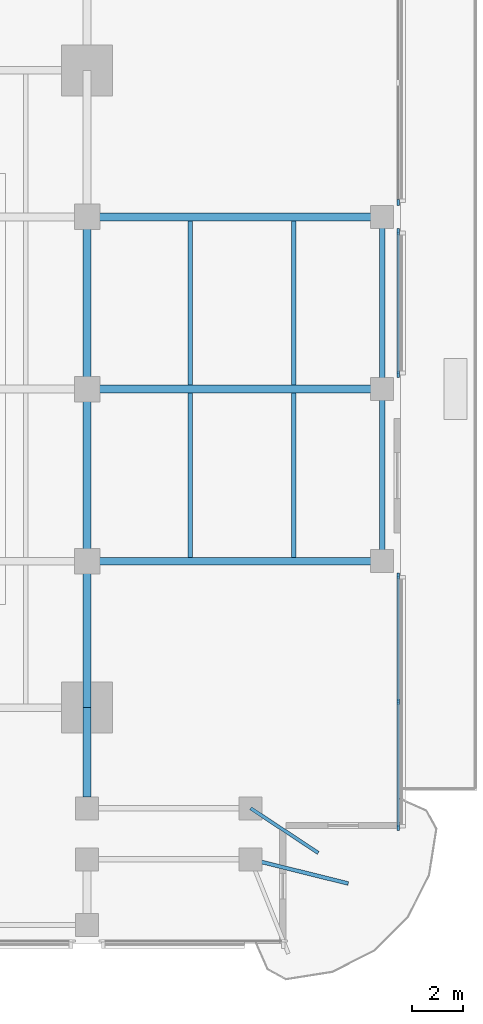
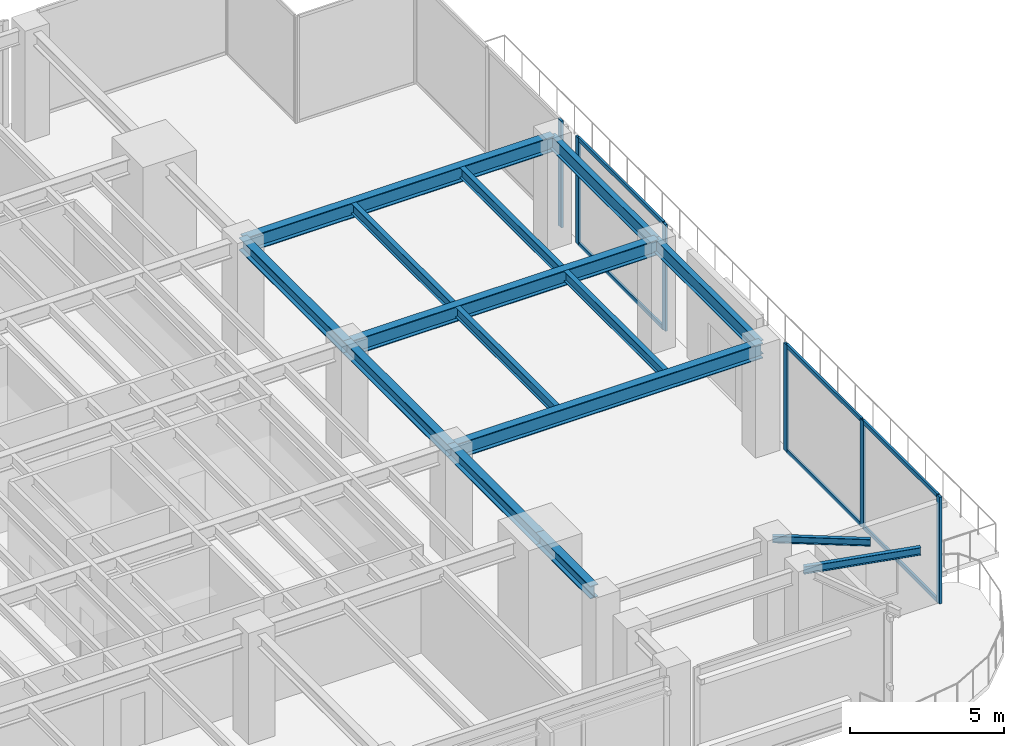
# One storey, part 4 of 14: 15 beams, 12 members, 3 elements without a shape of their own.
"""IFC4 building model written with IfcOpenShell, lengths in metres."""

from ifc_helpers import new_model, si_unit, direction, frame, origin, origin_2d, place, context, subcontext, project, spatial, rectangle, i_section, extrude, material, layer, layer_set, material_profile, profile_set, type_object, element, aggregate, save


model = new_model("IFC4")

# Units and contexts
model_context = context("Model", 3, precision=1e-05, world=origin(), true_north=direction((0.0, 1.0)))
body_context = subcontext(model_context, "Body", "Model", "MODEL_VIEW")
ifc_project = project(units=[si_unit("LENGTHUNIT", "METRE"), si_unit("AREAUNIT", "SQUARE_METRE"), si_unit("VOLUMEUNIT", "CUBIC_METRE"), si_unit("PLANEANGLEUNIT", "RADIAN"), si_unit("MASSUNIT", "GRAM", prefix="KILO")], contexts=[model_context])

# Site, building, storey
site_placement = place(None, origin())
site = spatial("IfcSite", under=ifc_project, at=site_placement, CompositionType="ELEMENT")
building_placement = place(site_placement, origin())
building = spatial("IfcBuilding", under=site, at=building_placement, Name="Kinhvarn Gate Tower", CompositionType="ELEMENT")
storey_placement = place(building_placement, frame((0.0, 0.0, 97.85009765625)))
storey = spatial("IfcBuildingStorey", under=building, at=storey_placement, Name="L25", CompositionType="ELEMENT", Elevation=97.85009765625)

# Curtain wall, members
ifc_material_1 = material(Name="Anodised aluminium AW-6063", Category="aluminium")
ifc_layer = layer(ifc_material_1, 0.219970703125)
ifc_layer_set = layer_set([ifc_layer], Name="Anodised aluminium AW-6063")
curtain_wall_type = type_object("IfcCurtainWallType", Name="CW-SYS-5", PredefinedType="NOTDEFINED", material=ifc_layer_set)
curtain_wall_1_placement = place(storey_placement, origin())
curtain_wall_1 = element("IfcCurtainWall", 1, at=curtain_wall_1_placement, inside=storey, type_object=curtain_wall_type, Name="Curtain Wall CW5 (L25)", PredefinedType="NOTDEFINED")
ifc_material_profile_1 = material_profile(ifc_material_1, rectangle(XDim=0.080078125, YDim=0.219970703125, at=origin_2d()), Name="ALU 80x220")
ifc_profile_set_1 = profile_set([ifc_material_profile_1], Name="Anodised aluminium AW-6063")
member_type_1 = type_object("IfcMemberType", Name="CW-MUL-220", PredefinedType="MULLION", material=ifc_profile_set_1)
member_1_placement = place(storey_placement, frame((50.409912109375, 8.0400390625, 0.0), z_axis=(0.0, 0.0, 1.0), x_axis=(-1.0, 0.0, 0.0)))
member_1 = element("IfcMember", 2, at=member_1_placement, type_object=member_type_1, Name="CW5 mullion 1", PredefinedType="MULLION", context=body_context, shape_type="SweptSolid", body=[
    extrude(rectangle(XDim=0.080078125, YDim=0.219970703125, at=origin_2d()), origin(), (0.0, 0.0, 1.0), 4.219970703125),
])
member_2_placement = place(storey_placement, frame((50.409912109375, 12.985107421875, 0.0), z_axis=(0.0, 0.0, 1.0), x_axis=(-1.0, 0.0, 0.0)))
member_2 = element("IfcMember", 3, at=member_2_placement, type_object=member_type_1, Name="CW5 mullion 2", PredefinedType="MULLION", context=body_context, shape_type="SweptSolid", body=[
    extrude(rectangle(XDim=0.080078125, YDim=0.219970703125, at=origin_2d()), origin(), (0.0, 0.0, 1.0), 4.219970703125),
])
member_3_placement = place(storey_placement, frame((50.409912109375, 17.929931640625, 0.0), z_axis=(0.0, 0.0, 1.0), x_axis=(-1.0, 0.0, 0.0)))
member_3 = element("IfcMember", 4, at=member_3_placement, type_object=member_type_1, Name="CW5 mullion 3", PredefinedType="MULLION", context=body_context, shape_type="SweptSolid", body=[
    extrude(rectangle(XDim=0.080078125, YDim=0.219970703125, at=origin_2d()), origin(), (0.0, 0.0, 1.0), 4.219970703125),
])

curtain_wall_2_placement = place(storey_placement, origin())
curtain_wall_2 = element("IfcCurtainWall", 5, at=curtain_wall_2_placement, inside=storey, type_object=curtain_wall_type, Name="Curtain Wall CW5 (L25)", PredefinedType="NOTDEFINED")
member_4_placement = place(storey_placement, frame((50.409912109375, 25.820068359375, 0.0), z_axis=(0.0, 0.0, 1.0), x_axis=(-1.0, 0.0, 0.0)))
member_4 = element("IfcMember", 6, at=member_4_placement, type_object=member_type_1, Name="CW5 mullion 1", PredefinedType="MULLION", context=body_context, shape_type="SweptSolid", body=[
    extrude(rectangle(XDim=0.080078125, YDim=0.219970703125, at=origin_2d()), origin(), (0.0, 0.0, 1.0), 4.219970703125),
])
member_5_placement = place(storey_placement, frame((50.409912109375, 31.429931640625, 0.0), z_axis=(0.0, 0.0, 1.0), x_axis=(-1.0, 0.0, 0.0)))
member_5 = element("IfcMember", 7, at=member_5_placement, type_object=member_type_1, Name="CW5 mullion 2", PredefinedType="MULLION", context=body_context, shape_type="SweptSolid", body=[
    extrude(rectangle(XDim=0.080078125, YDim=0.219970703125, at=origin_2d()), origin(), (0.0, 0.0, 1.0), 4.219970703125),
])

# Curtain wall, member
curtain_wall_3_placement = place(storey_placement, origin())
curtain_wall_3 = element("IfcCurtainWall", 8, at=curtain_wall_3_placement, inside=storey, type_object=curtain_wall_type, Name="Curtain Wall CW5 (L25)", PredefinedType="NOTDEFINED")
member_6_placement = place(storey_placement, frame((50.409912109375, 32.570068359375, 0.0), z_axis=(0.0, 0.0, 1.0), x_axis=(-1.0, 0.0, 0.0)))
member_6 = element("IfcMember", 9, at=member_6_placement, type_object=member_type_1, Name="CW5 mullion 1", PredefinedType="MULLION", context=body_context, shape_type="SweptSolid", body=[
    extrude(rectangle(XDim=0.080078125, YDim=0.219970703125, at=origin_2d()), origin(), (0.0, 0.0, 1.0), 4.219970703125),
])
aggregate(curtain_wall_3, [member_6])

# Member
ifc_material_profile_2 = material_profile(ifc_material_1, rectangle(XDim=0.080078125, YDim=0.159912109375, at=origin_2d()), Name="ALU 80x160")
ifc_profile_set_2 = profile_set([ifc_material_profile_2], Name="Anodised aluminium AW-6063")
member_type_2 = type_object("IfcMemberType", Name="CW-TRN-160", PredefinedType="USERDEFINED", material=ifc_profile_set_2)
member_7_placement = place(storey_placement, frame((50.409912109375, 8.080078125, 0.039794921875), z_axis=(0.0, 1.0, 0.0), x_axis=(-1.0, 0.0, 0.0)))
member_7 = element("IfcMember", 10, at=member_7_placement, type_object=member_type_2, Name="CW5 transom 1.1", ObjectType="TRANSOM", PredefinedType="USERDEFINED", context=body_context, shape_type="SweptSolid", body=[
    extrude(rectangle(XDim=0.080078125, YDim=0.159912109375, at=origin_2d()), origin(), (0.0, 0.0, 1.0), 4.864990234375),
])

member_8_placement = place(storey_placement, frame((50.409912109375, 8.080078125, 4.179931640625), z_axis=(0.0, 1.0, 0.0), x_axis=(-1.0, 0.0, 0.0)))
member_8 = element("IfcMember", 11, at=member_8_placement, type_object=member_type_2, Name="CW5 transom 1.2", ObjectType="TRANSOM", PredefinedType="USERDEFINED", context=body_context, shape_type="SweptSolid", body=[
    extrude(rectangle(XDim=0.080078125, YDim=0.159912109375, at=origin_2d()), origin(), (0.0, 0.0, 1.0), 4.864990234375),
])

member_9_placement = place(storey_placement, frame((50.409912109375, 13.02490234375, 0.039794921875), z_axis=(0.0, 1.0, 0.0), x_axis=(-1.0, 0.0, 0.0)))
member_9 = element("IfcMember", 12, at=member_9_placement, type_object=member_type_2, Name="CW5 transom 2.1", ObjectType="TRANSOM", PredefinedType="USERDEFINED", context=body_context, shape_type="SweptSolid", body=[
    extrude(rectangle(XDim=0.080078125, YDim=0.159912109375, at=origin_2d()), origin(), (0.0, 0.0, 1.0), 4.864990234375),
])

member_10_placement = place(storey_placement, frame((50.409912109375, 13.02490234375, 4.179931640625), z_axis=(0.0, 1.0, 0.0), x_axis=(-1.0, 0.0, 0.0)))
member_10 = element("IfcMember", 13, at=member_10_placement, type_object=member_type_2, Name="CW5 transom 2.2", ObjectType="TRANSOM", PredefinedType="USERDEFINED", context=body_context, shape_type="SweptSolid", body=[
    extrude(rectangle(XDim=0.080078125, YDim=0.159912109375, at=origin_2d()), origin(), (0.0, 0.0, 1.0), 4.864990234375),
])

aggregate(curtain_wall_1, [member_1, member_2, member_3, member_7, member_8, member_9, member_10])

member_11_placement = place(storey_placement, frame((50.409912109375, 25.860107421875, 0.039794921875), z_axis=(0.0, 1.0, 0.0), x_axis=(-1.0, 0.0, 0.0)))
member_11 = element("IfcMember", 14, at=member_11_placement, type_object=member_type_2, Name="CW5 transom 1.1", ObjectType="TRANSOM", PredefinedType="USERDEFINED", context=body_context, shape_type="SweptSolid", body=[
    extrude(rectangle(XDim=0.080078125, YDim=0.159912109375, at=origin_2d()), origin(), (0.0, 0.0, 1.0), 5.52978515625),
])

member_12_placement = place(storey_placement, frame((50.409912109375, 25.860107421875, 4.179931640625), z_axis=(0.0, 1.0, 0.0), x_axis=(-1.0, 0.0, 0.0)))
member_12 = element("IfcMember", 15, at=member_12_placement, type_object=member_type_2, Name="CW5 transom 1.2", ObjectType="TRANSOM", PredefinedType="USERDEFINED", context=body_context, shape_type="SweptSolid", body=[
    extrude(rectangle(XDim=0.080078125, YDim=0.159912109375, at=origin_2d()), origin(), (0.0, 0.0, 1.0), 5.52978515625),
])

aggregate(curtain_wall_2, [member_4, member_5, member_11, member_12])

# Beams
ifc_material_2 = material(Name="Steel S355", Category="steel")
ifc_material_profile_3 = material_profile(ifc_material_2, i_section(OverallWidth=0.300048828125, OverallDepth=0.5, WebThickness=0.014404296875, FlangeThickness=0.028076171875, at=origin_2d()), Name="HEB 500")
ifc_profile_set_3 = profile_set([ifc_material_profile_3], Name="Steel S355")
beam_type_1 = type_object("IfcBeamType", Name="STL-HEB500", PredefinedType="BEAM", material=ifc_profile_set_3)
beam_1_placement = place(storey_placement, frame((38.199951171875, 9.235107421875, 3.969970703125), z_axis=(0.0, 1.0, 0.0), x_axis=(-1.0, 0.0, 0.0)))
element("IfcBeam", 16, at=beam_1_placement, inside=storey, type_object=beam_type_1, Name="Floor Beam PG-14 (L25 MCE-S-A2)", PredefinedType="BEAM", context=body_context, shape_type="SweptSolid", body=[
    extrude(i_section(OverallWidth=0.300048828125, OverallDepth=0.5, WebThickness=0.014404296875, FlangeThickness=0.028076171875, at=origin_2d()), origin(), (0.0, 0.0, 1.0), 3.514892578125),
])
beam_2_placement = place(storey_placement, frame((38.199951171875, 12.75, 3.969970703125), z_axis=(0.0, 1.0, 0.0), x_axis=(-1.0, 0.0, 0.0)))
element("IfcBeam", 17, at=beam_2_placement, inside=storey, type_object=beam_type_1, Name="Floor Beam PG-14 (L25 MG-E-12)", PredefinedType="BEAM", context=body_context, shape_type="SweptSolid", body=[
    extrude(i_section(OverallWidth=0.300048828125, OverallDepth=0.5, WebThickness=0.014404296875, FlangeThickness=0.028076171875, at=origin_2d()), origin(), (0.0, 0.0, 1.0), 5.75),
])
for number, where, z_axis, x_axis, name in (
    (18, (38.199951171875, 18.5, 3.969970703125), (0.0, 1.0, 0.0), (-1.0, 0.0, 0.0), "Floor Beam PG-14 (L25 MG-E-18)"),
    (19, (38.199951171875, 25.25, 3.969970703125), (0.0, 1.0, 0.0), (-1.0, 0.0, 0.0), "Floor Beam PG-14 (L25 MG-E-25)"),
):
    element("IfcBeam", number, at=place(storey_placement, frame(where, z_axis=z_axis, x_axis=x_axis)), inside=storey, type_object=beam_type_1, Name=name, PredefinedType="BEAM", context=body_context, shape_type="SweptSolid", body=[
        extrude(i_section(OverallWidth=0.300048828125, OverallDepth=0.5, WebThickness=0.014404296875, FlangeThickness=0.028076171875, at=origin_2d()), origin(), (0.0, 0.0, 1.0), 6.75),
    ])
ifc_material_profile_4 = material_profile(ifc_material_2, i_section(OverallWidth=0.300048828125, OverallDepth=0.60009765625, WebThickness=0.015380859375, FlangeThickness=0.030029296875, at=origin_2d()), Name="HEB 600")
ifc_profile_set_4 = profile_set([ifc_material_profile_4], Name="Steel S355")
beam_type_2 = type_object("IfcBeamType", Name="STL-HEB600", PredefinedType="BEAM", material=ifc_profile_set_4)
for number, where, z_axis, x_axis, name in (
    (20, (38.199951171875, 18.5, 3.919921875), (1.0, 0.0, 0.0), (0.0, 1.0, 0.0), "Floor Beam PG-16 (L25 EW2-Y18)"),
    (21, (38.199951171875, 25.25, 3.919921875), (1.0, 0.0, 0.0), (0.0, 1.0, 0.0), "Floor Beam PG-16 (L25 EW2-Y25)"),
    (22, (38.199951171875, 32.0, 3.919921875), (1.0, 0.0, 0.0), (0.0, 1.0, 0.0), "Floor Beam PG-16 (L25 EW2-Y32)"),
):
    element("IfcBeam", number, at=place(storey_placement, frame(where, z_axis=z_axis, x_axis=x_axis)), inside=storey, type_object=beam_type_2, Name=name, PredefinedType="BEAM", context=body_context, shape_type="SweptSolid", body=[
        extrude(i_section(OverallWidth=0.300048828125, OverallDepth=0.60009765625, WebThickness=0.015380859375, FlangeThickness=0.030029296875, at=origin_2d()), origin(), (0.0, 0.0, 1.0), 11.580078125),
    ])
ifc_material_profile_5 = material_profile(ifc_material_2, i_section(OverallWidth=0.135009765625, OverallDepth=0.27001953125, WebThickness=0.006591796875, FlangeThickness=0.01025390625, at=origin_2d()), Name="IPE 270")
ifc_profile_set_5 = profile_set([ifc_material_profile_5], Name="Steel S355")
beam_type_3 = type_object("IfcBeamType", Name="STL-IPE270", PredefinedType="JOIST", material=ifc_profile_set_5)
beam_3_placement = place(storey_placement, frame((44.6201171875, 8.800048828125, 4.0849609375), z_axis=(0.834455271211, -0.5510756757, 0.0), x_axis=(0.5510756757, 0.834455271211, 0.0)))
element("IfcBeam", 23, at=beam_3_placement, inside=storey, type_object=beam_type_3, Name="Floor Joist SB-01 (L25 BAL-B3-L26)", PredefinedType="JOIST", context=body_context, shape_type="SweptSolid", body=[
    extrude(i_section(OverallWidth=0.135009765625, OverallDepth=0.27001953125, WebThickness=0.006591796875, FlangeThickness=0.01025390625, at=origin_2d()), origin(), (0.0, 0.0, 1.0), 3.175537109375),
])
ifc_material_profile_6 = material_profile(ifc_material_2, i_section(OverallWidth=0.14990234375, OverallDepth=0.300048828125, WebThickness=0.007080078125, FlangeThickness=0.0107421875, at=origin_2d()), Name="IPE 300")
ifc_profile_set_6 = profile_set([ifc_material_profile_6], Name="Steel S355")
beam_type_4 = type_object("IfcBeamType", Name="STL-IPE300", PredefinedType="JOIST", material=ifc_profile_set_6)
beam_4_placement = place(storey_placement, frame((44.6201171875, 6.800048828125, 4.06982421875), z_axis=(0.97058851083, -0.240744558911, 0.0), x_axis=(0.240744558911, 0.97058851083, 0.0)))
element("IfcBeam", 24, at=beam_4_placement, inside=storey, type_object=beam_type_4, Name="Floor Joist SB-02 (L25 BAL-B1-L26)", PredefinedType="JOIST", context=body_context, shape_type="SweptSolid", body=[
    extrude(i_section(OverallWidth=0.14990234375, OverallDepth=0.300048828125, WebThickness=0.007080078125, FlangeThickness=0.0107421875, at=origin_2d()), origin(), (0.0, 0.0, 1.0), 3.94580078125),
])
ifc_material_profile_7 = material_profile(ifc_material_2, i_section(OverallWidth=0.179931640625, OverallDepth=0.39990234375, WebThickness=0.008544921875, FlangeThickness=0.013427734375, at=origin_2d()), Name="IPE 400")
ifc_profile_set_7 = profile_set([ifc_material_profile_7], Name="Steel S355")
beam_type_5 = type_object("IfcBeamType", Name="STL-IPE400", PredefinedType="JOIST", material=ifc_profile_set_7)
for number, where, z_axis, x_axis, name in (
    (25, (42.25, 18.64990234375, 4.02001953125), (0.0, 1.0, 0.0), (-1.0, 0.0, 0.0), "Floor Joist SB-05 (L25 JC-X422-1)"),
    (26, (42.25, 25.39990234375, 4.02001953125), (0.0, 1.0, 0.0), (-1.0, 0.0, 0.0), "Floor Joist SB-05 (L25 JC-X422-2)"),
    (27, (46.31005859375, 18.64990234375, 4.02001953125), (0.0, 1.0, 0.0), (-1.0, 0.0, 0.0), "Floor Joist SB-05 (L25 JC-X463-1)"),
    (28, (46.31005859375, 25.39990234375, 4.02001953125), (0.0, 1.0, 0.0), (-1.0, 0.0, 0.0), "Floor Joist SB-05 (L25 JC-X463-2)"),
):
    element("IfcBeam", number, at=place(storey_placement, frame(where, z_axis=z_axis, x_axis=x_axis)), inside=storey, type_object=beam_type_5, Name=name, PredefinedType="JOIST", context=body_context, shape_type="SweptSolid", body=[
        extrude(i_section(OverallWidth=0.179931640625, OverallDepth=0.39990234375, WebThickness=0.008544921875, FlangeThickness=0.013427734375, at=origin_2d()), origin(), (0.0, 0.0, 1.0), 6.4501953125),
    ])
ifc_material_profile_8 = material_profile(ifc_material_2, i_section(OverallWidth=0.2099609375, OverallDepth=0.550048828125, WebThickness=0.010986328125, FlangeThickness=0.01708984375, at=origin_2d()), Name="IPE 550")
ifc_profile_set_8 = profile_set([ifc_material_profile_8], Name="Steel S355")
beam_type_6 = type_object("IfcBeamType", Name="STL-IPE550", PredefinedType="SPANDREL", material=ifc_profile_set_8)
for number, where, z_axis, x_axis, name in (
    (29, (49.780029296875, 18.5, 3.94482421875), (0.0, 1.0, 0.0), (-1.0, 0.0, 0.0), "Floor Spandrel SB-08 (L25 SP-E2)"),
    (30, (49.780029296875, 25.25, 3.94482421875), (0.0, 1.0, 0.0), (-1.0, 0.0, 0.0), "Floor Spandrel SB-08 (L25 SP-E3)"),
):
    element("IfcBeam", number, at=place(storey_placement, frame(where, z_axis=z_axis, x_axis=x_axis)), inside=storey, type_object=beam_type_6, Name=name, PredefinedType="SPANDREL", context=body_context, shape_type="SweptSolid", body=[
        extrude(i_section(OverallWidth=0.2099609375, OverallDepth=0.550048828125, WebThickness=0.010986328125, FlangeThickness=0.01708984375, at=origin_2d()), origin(), (0.0, 0.0, 1.0), 6.75),
    ])

save(model, "model.ifc")
